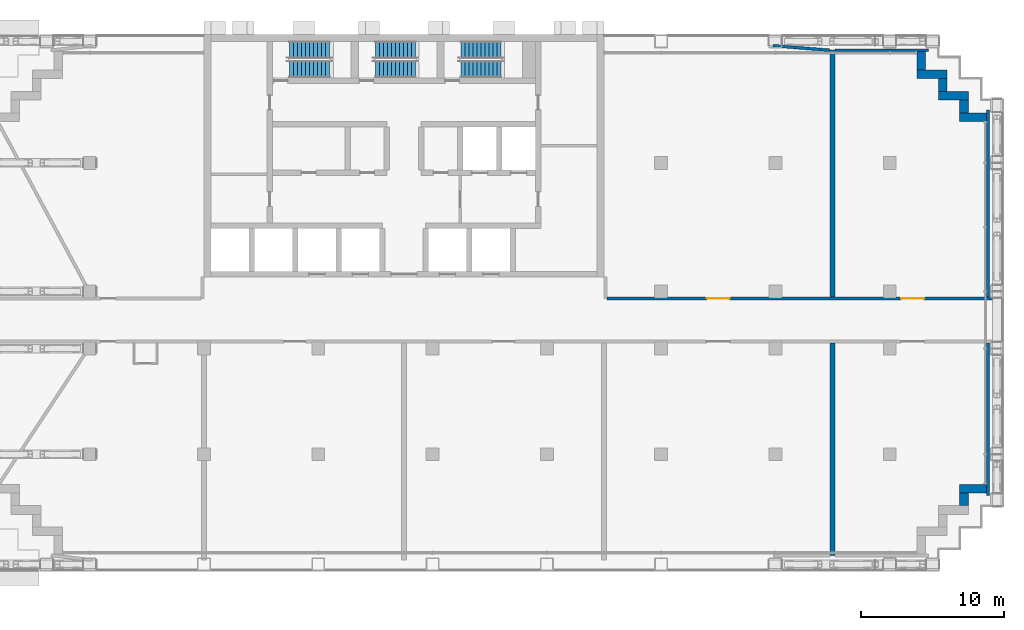
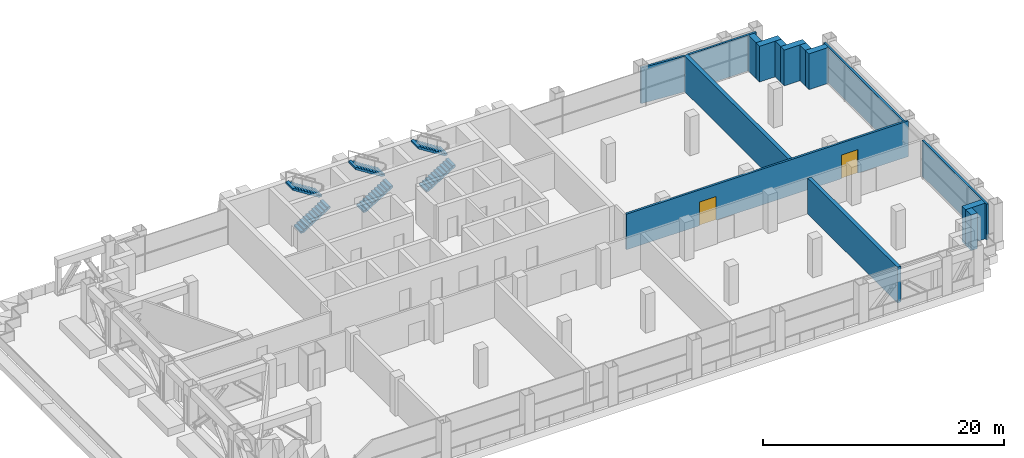
# One storey, part 10 of 19: 15 walls, 6 stair flights, 2 doors, 2 openings, 3 elements without a shape of their own.
"""IFC4 building model written with IfcOpenShell, lengths in metres."""

from ifc_helpers import new_model, si_unit, direction, frame, frame_2d, origin, place, context, subcontext, project, spatial, polyline, rectangle, outline, extrude, material, layer, layer_set, type_object, element, fill, aggregate, save


model = new_model("IFC4")

# Units and contexts
model_context = context("Model", 3, precision=1e-05, world=origin(), true_north=direction((0.0, 1.0)))
body_context = subcontext(model_context, "Body", "Model", "MODEL_VIEW")
ifc_project = project(units=[si_unit("LENGTHUNIT", "METRE"), si_unit("AREAUNIT", "SQUARE_METRE"), si_unit("VOLUMEUNIT", "CUBIC_METRE"), si_unit("PLANEANGLEUNIT", "RADIAN"), si_unit("MASSUNIT", "GRAM", prefix="KILO")], contexts=[model_context])

# Site, building, storey
site_placement = place(None, origin())
site = spatial("IfcSite", under=ifc_project, at=site_placement, CompositionType="ELEMENT")
building_placement = place(site_placement, origin())
building = spatial("IfcBuilding", under=site, at=building_placement, Name="Vidyagriha Tower", CompositionType="ELEMENT")
storey_placement = place(building_placement, frame((0.0, 0.0, 73.60009765625)))
storey = spatial("IfcBuildingStorey", under=building, at=storey_placement, Name="L18", CompositionType="ELEMENT", Elevation=73.60009765625)

# Walls
ifc_material_1 = material(Name="Precast concrete C40/50 with brick facing", Category="concrete")
ifc_layer_1 = layer(ifc_material_1, 0.60009765625)
ifc_layer_set_1 = layer_set([ifc_layer_1], Name="Precast concrete C40/50 with brick facing")
wall_type_1 = type_object("IfcWallType", Name="Brick-faced precast wall 600", PredefinedType="STANDARD", material=ifc_layer_set_1)
wall_1_placement = place(storey_placement, frame((40.780029296875, 14.199951171875, 0.0), z_axis=(0.0, 0.0, 1.0), x_axis=(-1.0, 0.0, 0.0)))
element("IfcWall", 1, at=wall_1_placement, inside=storey, type_object=wall_type_1, Name="Stepped corner wall L18 R01", PredefinedType="STANDARD", context=body_context, shape_type="SweptSolid", body=[
    extrude(rectangle(XDim=1.880126953125, YDim=0.60009765625, at=frame_2d((0.93994140625, 0.0))), origin(), (0.0, 0.0, 1.0), 3.619873046875),
])
wall_2_placement = place(storey_placement, frame((39.199951171875, 14.5, 0.0), z_axis=(0.0, 0.0, 1.0), x_axis=(0.0, 1.0, 0.0)))
element("IfcWall", 2, at=wall_2_placement, inside=storey, type_object=wall_type_1, Name="Stepped corner wall L18 R02", PredefinedType="STANDARD", context=body_context, shape_type="SweptSolid", body=[
    extrude(rectangle(XDim=0.89990234375, YDim=0.60009765625, at=frame_2d((0.449951171875, 0.0))), origin(), (0.0, 0.0, 1.0), 3.619873046875),
])
wall_3_placement = place(storey_placement, frame((39.5, 15.699951171875, 0.0), z_axis=(0.0, 0.0, 1.0), x_axis=(-1.0, 0.0, 0.0)))
element("IfcWall", 3, at=wall_3_placement, inside=storey, type_object=wall_type_1, Name="Stepped corner wall L18 R03", PredefinedType="STANDARD", context=body_context, shape_type="SweptSolid", body=[
    extrude(rectangle(XDim=2.10009765625, YDim=0.60009765625, at=frame_2d((1.050048828125, 0.0))), origin(), (0.0, 0.0, 1.0), 3.619873046875),
])
wall_4_placement = place(storey_placement, frame((37.699951171875, 16.0, 0.0), z_axis=(0.0, 0.0, 1.0), x_axis=(0.0, 1.0, 0.0)))
element("IfcWall", 4, at=wall_4_placement, inside=storey, type_object=wall_type_1, Name="Stepped corner wall L18 R04", PredefinedType="STANDARD", context=body_context, shape_type="SweptSolid", body=[
    extrude(rectangle(XDim=0.89990234375, YDim=0.60009765625, at=frame_2d((0.449951171875, 0.0))), origin(), (0.0, 0.0, 1.0), 3.619873046875),
])
wall_5_placement = place(storey_placement, frame((38.0, 17.199951171875, 0.0), z_axis=(0.0, 0.0, 1.0), x_axis=(-1.0, 0.0, 0.0)))
element("IfcWall", 5, at=wall_5_placement, inside=storey, type_object=wall_type_1, Name="Stepped corner wall L18 R05", PredefinedType="STANDARD", context=body_context, shape_type="SweptSolid", body=[
    extrude(rectangle(XDim=2.10009765625, YDim=0.60009765625, at=frame_2d((1.050048828125, 0.0))), origin(), (0.0, 0.0, 1.0), 3.619873046875),
])
wall_6_placement = place(storey_placement, frame((36.199951171875, 17.5, 0.0), z_axis=(0.0, 0.0, 1.0), x_axis=(0.0, 1.0, 0.0)))
element("IfcWall", 6, at=wall_6_placement, inside=storey, type_object=wall_type_1, Name="Stepped corner wall L18 R06", PredefinedType="STANDARD", context=body_context, shape_type="SweptSolid", body=[
    extrude(rectangle(XDim=1.280029296875, YDim=0.60009765625, at=frame_2d((0.64013671875, 0.0))), origin(), (0.0, 0.0, 1.0), 3.619873046875),
])
wall_7_placement = place(storey_placement, frame((39.199951171875, -13.0, 0.0), z_axis=(0.0, 0.0, 1.0), x_axis=(0.0, 1.0, 0.0)))
element("IfcWall", 7, at=wall_7_placement, inside=storey, type_object=wall_type_1, Name="Stepped corner wall L18 R28", PredefinedType="STANDARD", context=body_context, shape_type="SweptSolid", body=[
    extrude(rectangle(XDim=0.89990234375, YDim=0.60009765625, at=frame_2d((0.449951171875, 0.0))), origin(), (0.0, 0.0, 1.0), 3.619873046875),
])
wall_8_placement = place(storey_placement, frame((38.89990234375, -11.800048828125, 0.0)))
element("IfcWall", 8, at=wall_8_placement, inside=storey, type_object=wall_type_1, Name="Stepped corner wall L18 R29", PredefinedType="STANDARD", context=body_context, shape_type="SweptSolid", body=[
    extrude(rectangle(XDim=1.880126953125, YDim=0.60009765625, at=frame_2d((0.93994140625, 0.0))), origin(), (0.0, 0.0, 1.0), 3.619873046875),
])

# Wall, openings, doors
ifc_material_2 = material(Name="Blockwork 15 MPa", Category="masonry")
ifc_layer_2 = layer(ifc_material_2, 0.199951171875)
ifc_layer_set_2 = layer_set([ifc_layer_2], Name="Blockwork 15 MPa")
wall_type_2 = type_object("IfcWallType", Name="Service room partition 200 mm", PredefinedType="PARTITIONING", material=ifc_layer_set_2)
wall_9_placement = place(storey_placement, frame((14.199951171875, 1.5, 0.0)))
wall_9 = element("IfcWall", 9, at=wall_9_placement, inside=storey, type_object=wall_type_2, Name="Plant corridor north wall east", PredefinedType="PARTITIONING", context=body_context, shape_type="SweptSolid", body=[
    extrude(rectangle(XDim=27.0, YDim=0.199951171875, at=frame_2d((13.5, 0.0))), origin(), (0.0, 0.0, 1.0), 3.619873046875),
])
opening_1_placement = place(wall_9_placement, frame((7.0, 0.0, 0.0)))
opening_1 = element("IfcOpeningElement", 10, at=opening_1_placement, cuts=wall_9, Name="Opening D18-21", PredefinedType="OPENING", context=body_context, shape_type="SweptSolid", body=[
    extrude(rectangle(XDim=1.60009765625, YDim=2.39990234375, at=frame_2d((0.800048828125, 1.199951171875))), frame((0.0, 0.10986328125, 0.0), z_axis=(0.0, -1.0, 0.0), x_axis=(1.0, 0.0, 0.0)), (0.0, 0.0, 1.0), 0.219970703125),
])
opening_2_placement = place(wall_9_placement, frame((20.60009765625, 0.0, 0.0)))
opening_2 = element("IfcOpeningElement", 11, at=opening_2_placement, cuts=wall_9, Name="Opening D18-22", PredefinedType="OPENING", context=body_context, shape_type="SweptSolid", body=[
    extrude(rectangle(XDim=1.60009765625, YDim=2.39990234375, at=frame_2d((0.800048828125, 1.199951171875))), frame((0.0, 0.10986328125, 0.0), z_axis=(0.0, -1.0, 0.0), x_axis=(1.0, 0.0, 0.0)), (0.0, 0.0, 1.0), 0.219970703125),
])
ifc_material_3 = material(Name="Hollow metal door leaf")
door_type = type_object("IfcDoorType", Name="Plant room double door 1600 x 2400 mm EI 90", OperationType="NOTDEFINED", PredefinedType="DOOR", material=ifc_material_3)
door_1_placement = place(opening_1_placement, frame((1.60009765625, 0.0, 0.0), z_axis=(0.0, 0.0, 1.0), x_axis=(-1.0, 0.0, 0.0)))
door_1 = element("IfcDoor", 12, at=door_1_placement, inside=storey, type_object=door_type, Name="Door Chiller Plant Room 18.E1", OperationType="DOUBLE_DOOR_SINGLE_SWING", OverallHeight=2.39990234375, OverallWidth=1.60009765625, PredefinedType="DOOR", context=body_context, shape_type="SweptSolid", body=[
    extrude(rectangle(XDim=1.60009765625, YDim=2.39990234375, at=frame_2d((0.800048828125, 1.199951171875))), frame((0.0, 0.02490234375, 0.0), z_axis=(0.0, -1.0, 0.0), x_axis=(1.0, 0.0, 0.0)), (0.0, 0.0, 1.0), 0.050048828125),
])
fill(opening_1, door_1)
door_2_placement = place(opening_2_placement, frame((1.60009765625, 0.0, 0.0), z_axis=(0.0, 0.0, 1.0), x_axis=(-1.0, 0.0, 0.0)))
door_2 = element("IfcDoor", 13, at=door_2_placement, inside=storey, type_object=door_type, Name="Door Air Handling Plant Room 18.E2", OperationType="DOUBLE_DOOR_SINGLE_SWING", OverallHeight=2.39990234375, OverallWidth=1.60009765625, PredefinedType="DOOR", context=body_context, shape_type="SweptSolid", body=[
    extrude(rectangle(XDim=1.60009765625, YDim=2.39990234375, at=frame_2d((0.800048828125, 1.199951171875))), frame((0.0, 0.02490234375, 0.0), z_axis=(0.0, -1.0, 0.0), x_axis=(1.0, 0.0, 0.0)), (0.0, 0.0, 1.0), 0.050048828125),
])
fill(opening_2, door_2)

# Walls
wall_10_placement = place(storey_placement, frame((40.8798828125, -12.300048828125, 0.0), z_axis=(0.0, 0.0, 1.0), x_axis=(0.0, 1.0, 0.0)))
element("IfcWall", 14, at=wall_10_placement, inside=storey, type_object=wall_type_2, Name="Plant room wall", PredefinedType="PARTITIONING", context=body_context, shape_type="SweptSolid", body=[
    extrude(rectangle(XDim=10.699951171875, YDim=0.199951171875, at=frame_2d((5.35009765625, 0.0))), origin(), (0.0, 0.0, 1.0), 3.619873046875),
])
wall_11_placement = place(storey_placement, frame((25.830078125, 19.199951171875, 0.0), z_axis=(0.0, 0.0, 1.0), x_axis=(0.996805780234, -0.079863862243, 0.0)))
element("IfcWall", 15, at=wall_11_placement, inside=storey, type_object=wall_type_2, Name="Plant room wall", PredefinedType="PARTITIONING", context=body_context, shape_type="SweptSolid", body=[
    extrude(rectangle(XDim=4.007568359375, YDim=0.199951171875, at=frame_2d((2.00390625, 0.0))), origin(), (0.0, 0.0, 1.0), 3.619873046875),
])
wall_12_placement = place(storey_placement, frame((40.8798828125, 1.60009765625, 0.0), z_axis=(0.0, 0.0, 1.0), x_axis=(0.0, 1.0, 0.0)))
element("IfcWall", 16, at=wall_12_placement, inside=storey, type_object=wall_type_2, Name="Plant room wall", PredefinedType="PARTITIONING", context=body_context, shape_type="SweptSolid", body=[
    extrude(rectangle(XDim=13.099853515625, YDim=0.199951171875, at=frame_2d((6.5498046875, 0.0))), origin(), (0.0, 0.0, 1.0), 3.619873046875),
])
wall_13_placement = place(storey_placement, frame((30.175048828125, 18.8798828125, 0.0)))
element("IfcWall", 17, at=wall_13_placement, inside=storey, type_object=wall_type_2, Name="Plant room wall", PredefinedType="PARTITIONING", context=body_context, shape_type="SweptSolid", body=[
    extrude(rectangle(XDim=6.52490234375, YDim=0.199951171875, at=frame_2d((3.262451171875, 0.0))), origin(), (0.0, 0.0, 1.0), 3.619873046875),
])
ifc_material_4 = material(Name="Blockwork 15 MPa", Category="masonry")
ifc_layer_3 = layer(ifc_material_4, 0.35009765625)
ifc_layer_set_3 = layer_set([ifc_layer_3], Name="Blockwork 15 MPa")
wall_type_3 = type_object("IfcWallType", Name="Service room partition 350 mm", PredefinedType="PARTITIONING", material=ifc_layer_set_3)
wall_14_placement = place(storey_placement, frame((30.0, -16.5, 0.0), z_axis=(0.0, 0.0, 1.0), x_axis=(0.0, 1.0, 0.0)))
element("IfcWall", 18, at=wall_14_placement, inside=storey, type_object=wall_type_3, Name="Plant room wall", PredefinedType="PARTITIONING", context=body_context, shape_type="SweptSolid", body=[
    extrude(rectangle(XDim=14.89990234375, YDim=0.35009765625, at=frame_2d((7.449951171875, 0.0))), origin(), (0.0, 0.0, 1.0), 3.619873046875),
])
wall_15_placement = place(storey_placement, frame((30.0, 1.60009765625, 0.0), z_axis=(0.0, 0.0, 1.0), x_axis=(0.0, 1.0, 0.0)))
element("IfcWall", 19, at=wall_15_placement, inside=storey, type_object=wall_type_3, Name="Plant room wall", PredefinedType="PARTITIONING", context=body_context, shape_type="SweptSolid", body=[
    extrude(rectangle(XDim=17.2998046875, YDim=0.35009765625, at=frame_2d((8.64990234375, 0.0))), origin(), (0.0, 0.0, 1.0), 3.619873046875),
])

# Stair, stair flights
ifc_material_5 = material(Name="Concrete C40/50", Category="concrete")
stair_type = type_object("IfcStairType", Name="Exit stair, half-turn, precast flights", PredefinedType="HALF_TURN_STAIR", material=ifc_material_5)
stair_1_placement = place(storey_placement, origin())
stair_1 = element("IfcStair", 20, at=stair_1_placement, inside=storey, type_object=stair_type, Name="L18 Exit Stair ST1", PredefinedType="HALF_TURN_STAIR")
ifc_material_6 = material(Name="Precast concrete C40/50", Category="concrete")
stair_flight_type = type_object("IfcStairFlightType", Name="Exit stair flight 1200 mm, precast", PredefinedType="STRAIGHT", material=ifc_material_6)
stair_flight_1_placement = place(storey_placement, frame((-8.0, 17.550048828125, 0.0)))
stair_flight_1 = element("IfcStairFlight", 21, at=stair_flight_1_placement, type_object=stair_flight_type, Name="ST1 flight 1", NumberOfRisers=11, NumberOfTreads=10, PredefinedType="STRAIGHT", RiserHeight=0.177272727, TreadLength=0.28, context=body_context, shape_type="SweptSolid", body=[
    extrude(outline(polyline([(0.0, 0.0), (0.0, 0.17724609375), (0.280029296875, 0.17724609375), (0.280029296875, 0.3544921875), (0.56005859375, 0.3544921875), (0.56005859375, 0.53173828125), (0.840087890625, 0.53173828125), (0.840087890625, 0.708984375), (1.1201171875, 0.708984375), (1.1201171875, 0.886474609375), (1.39990234375, 0.886474609375), (1.39990234375, 1.063720703125), (1.679931640625, 1.063720703125), (1.679931640625, 1.240966796875), (1.9599609375, 1.240966796875), (1.9599609375, 1.418212890625), (2.239990234375, 1.418212890625), (2.239990234375, 1.595458984375), (2.52001953125, 1.595458984375), (2.52001953125, 1.772705078125), (2.800048828125, 1.772705078125), (2.800048828125, 1.949951171875), (2.800048828125, 1.59521484375), (0.2802734375, 0.0), (0.0, 0.0)])), frame((0.0, 0.60009765625, 0.0), z_axis=(0.0, -1.0, 0.0), x_axis=(1.0, 0.0, 0.0)), (0.0, 0.0, 1.0), 1.199951171875),
])
stair_flight_2_placement = place(storey_placement, frame((-5.199951171875, 18.89990234375, 1.949951171875), z_axis=(0.0, 0.0, 1.0), x_axis=(-1.0, 0.0, 0.0)))
stair_flight_2 = element("IfcStairFlight", 22, at=stair_flight_2_placement, type_object=stair_flight_type, Name="ST1 flight 2", NumberOfRisers=11, NumberOfTreads=10, PredefinedType="STRAIGHT", RiserHeight=0.177272727, TreadLength=0.28, context=body_context, shape_type="SweptSolid", body=[
    extrude(outline(polyline([(0.0, 0.0), (0.0, 0.17724609375), (0.280029296875, 0.17724609375), (0.280029296875, 0.3544921875), (0.56005859375, 0.3544921875), (0.56005859375, 0.53173828125), (0.840087890625, 0.53173828125), (0.840087890625, 0.708984375), (1.1201171875, 0.708984375), (1.1201171875, 0.886474609375), (1.39990234375, 0.886474609375), (1.39990234375, 1.063720703125), (1.679931640625, 1.063720703125), (1.679931640625, 1.240966796875), (1.9599609375, 1.240966796875), (1.9599609375, 1.418212890625), (2.239990234375, 1.418212890625), (2.239990234375, 1.595458984375), (2.52001953125, 1.595458984375), (2.52001953125, 1.772705078125), (2.800048828125, 1.772705078125), (2.800048828125, 1.949951171875), (2.800048828125, 1.59521484375), (0.2802734375, 0.0), (0.0, 0.0)])), frame((0.0, 0.60009765625, 0.0), z_axis=(0.0, -1.0, 0.0), x_axis=(1.0, 0.0, 0.0)), (0.0, 0.0, 1.0), 1.199951171875),
])
aggregate(stair_1, [stair_flight_1, stair_flight_2])

stair_2_placement = place(storey_placement, origin())
stair_2 = element("IfcStair", 23, at=stair_2_placement, inside=storey, type_object=stair_type, Name="L18 Exit Stair ST2", PredefinedType="HALF_TURN_STAIR")
stair_flight_3_placement = place(storey_placement, frame((-2.0, 17.550048828125, 0.0)))
stair_flight_3 = element("IfcStairFlight", 24, at=stair_flight_3_placement, type_object=stair_flight_type, Name="ST2 flight 1", NumberOfRisers=11, NumberOfTreads=10, PredefinedType="STRAIGHT", RiserHeight=0.177272727, TreadLength=0.28, context=body_context, shape_type="SweptSolid", body=[
    extrude(outline(polyline([(0.0, 0.0), (0.0, 0.17724609375), (0.280029296875, 0.17724609375), (0.280029296875, 0.3544921875), (0.56005859375, 0.3544921875), (0.56005859375, 0.53173828125), (0.840087890625, 0.53173828125), (0.840087890625, 0.708984375), (1.1201171875, 0.708984375), (1.1201171875, 0.886474609375), (1.39990234375, 0.886474609375), (1.39990234375, 1.063720703125), (1.679931640625, 1.063720703125), (1.679931640625, 1.240966796875), (1.9599609375, 1.240966796875), (1.9599609375, 1.418212890625), (2.239990234375, 1.418212890625), (2.239990234375, 1.595458984375), (2.52001953125, 1.595458984375), (2.52001953125, 1.772705078125), (2.800048828125, 1.772705078125), (2.800048828125, 1.949951171875), (2.800048828125, 1.59521484375), (0.2802734375, 0.0), (0.0, 0.0)])), frame((0.0, 0.60009765625, 0.0), z_axis=(0.0, -1.0, 0.0), x_axis=(1.0, 0.0, 0.0)), (0.0, 0.0, 1.0), 1.199951171875),
])
stair_flight_4_placement = place(storey_placement, frame((0.800048828125, 18.89990234375, 1.949951171875), z_axis=(0.0, 0.0, 1.0), x_axis=(-1.0, 0.0, 0.0)))
stair_flight_4 = element("IfcStairFlight", 25, at=stair_flight_4_placement, type_object=stair_flight_type, Name="ST2 flight 2", NumberOfRisers=11, NumberOfTreads=10, PredefinedType="STRAIGHT", RiserHeight=0.177272727, TreadLength=0.28, context=body_context, shape_type="SweptSolid", body=[
    extrude(outline(polyline([(0.0, 0.0), (0.0, 0.17724609375), (0.280029296875, 0.17724609375), (0.280029296875, 0.3544921875), (0.56005859375, 0.3544921875), (0.56005859375, 0.53173828125), (0.840087890625, 0.53173828125), (0.840087890625, 0.708984375), (1.1201171875, 0.708984375), (1.1201171875, 0.886474609375), (1.39990234375, 0.886474609375), (1.39990234375, 1.063720703125), (1.679931640625, 1.063720703125), (1.679931640625, 1.240966796875), (1.9599609375, 1.240966796875), (1.9599609375, 1.418212890625), (2.239990234375, 1.418212890625), (2.239990234375, 1.595458984375), (2.52001953125, 1.595458984375), (2.52001953125, 1.772705078125), (2.800048828125, 1.772705078125), (2.800048828125, 1.949951171875), (2.800048828125, 1.59521484375), (0.2802734375, 0.0), (0.0, 0.0)])), frame((0.0, 0.60009765625, 0.0), z_axis=(0.0, -1.0, 0.0), x_axis=(1.0, 0.0, 0.0)), (0.0, 0.0, 1.0), 1.199951171875),
])
aggregate(stair_2, [stair_flight_3, stair_flight_4])

stair_3_placement = place(storey_placement, origin())
stair_3 = element("IfcStair", 26, at=stair_3_placement, inside=storey, type_object=stair_type, Name="L18 Exit Stair ST3", PredefinedType="HALF_TURN_STAIR")
stair_flight_5_placement = place(storey_placement, frame((4.0, 17.550048828125, 0.0)))
stair_flight_5 = element("IfcStairFlight", 27, at=stair_flight_5_placement, type_object=stair_flight_type, Name="ST3 flight 1", NumberOfRisers=11, NumberOfTreads=10, PredefinedType="STRAIGHT", RiserHeight=0.177272727, TreadLength=0.28, context=body_context, shape_type="SweptSolid", body=[
    extrude(outline(polyline([(0.0, 0.0), (0.0, 0.17724609375), (0.280029296875, 0.17724609375), (0.280029296875, 0.3544921875), (0.56005859375, 0.3544921875), (0.56005859375, 0.53173828125), (0.840087890625, 0.53173828125), (0.840087890625, 0.708984375), (1.1201171875, 0.708984375), (1.1201171875, 0.886474609375), (1.39990234375, 0.886474609375), (1.39990234375, 1.063720703125), (1.679931640625, 1.063720703125), (1.679931640625, 1.240966796875), (1.9599609375, 1.240966796875), (1.9599609375, 1.418212890625), (2.239990234375, 1.418212890625), (2.239990234375, 1.595458984375), (2.52001953125, 1.595458984375), (2.52001953125, 1.772705078125), (2.800048828125, 1.772705078125), (2.800048828125, 1.949951171875), (2.800048828125, 1.59521484375), (0.2802734375, 0.0), (0.0, 0.0)])), frame((0.0, 0.60009765625, 0.0), z_axis=(0.0, -1.0, 0.0), x_axis=(1.0, 0.0, 0.0)), (0.0, 0.0, 1.0), 1.199951171875),
])
stair_flight_6_placement = place(storey_placement, frame((6.800048828125, 18.89990234375, 1.949951171875), z_axis=(0.0, 0.0, 1.0), x_axis=(-1.0, 0.0, 0.0)))
stair_flight_6 = element("IfcStairFlight", 28, at=stair_flight_6_placement, type_object=stair_flight_type, Name="ST3 flight 2", NumberOfRisers=11, NumberOfTreads=10, PredefinedType="STRAIGHT", RiserHeight=0.177272727, TreadLength=0.28, context=body_context, shape_type="SweptSolid", body=[
    extrude(outline(polyline([(0.0, 0.0), (0.0, 0.17724609375), (0.280029296875, 0.17724609375), (0.280029296875, 0.3544921875), (0.56005859375, 0.3544921875), (0.56005859375, 0.53173828125), (0.840087890625, 0.53173828125), (0.840087890625, 0.708984375), (1.1201171875, 0.708984375), (1.1201171875, 0.886474609375), (1.39990234375, 0.886474609375), (1.39990234375, 1.063720703125), (1.679931640625, 1.063720703125), (1.679931640625, 1.240966796875), (1.9599609375, 1.240966796875), (1.9599609375, 1.418212890625), (2.239990234375, 1.418212890625), (2.239990234375, 1.595458984375), (2.52001953125, 1.595458984375), (2.52001953125, 1.772705078125), (2.800048828125, 1.772705078125), (2.800048828125, 1.949951171875), (2.800048828125, 1.59521484375), (0.2802734375, 0.0), (0.0, 0.0)])), frame((0.0, 0.60009765625, 0.0), z_axis=(0.0, -1.0, 0.0), x_axis=(1.0, 0.0, 0.0)), (0.0, 0.0, 1.0), 1.199951171875),
])
aggregate(stair_3, [stair_flight_5, stair_flight_6])

save(model, "model.ifc")
